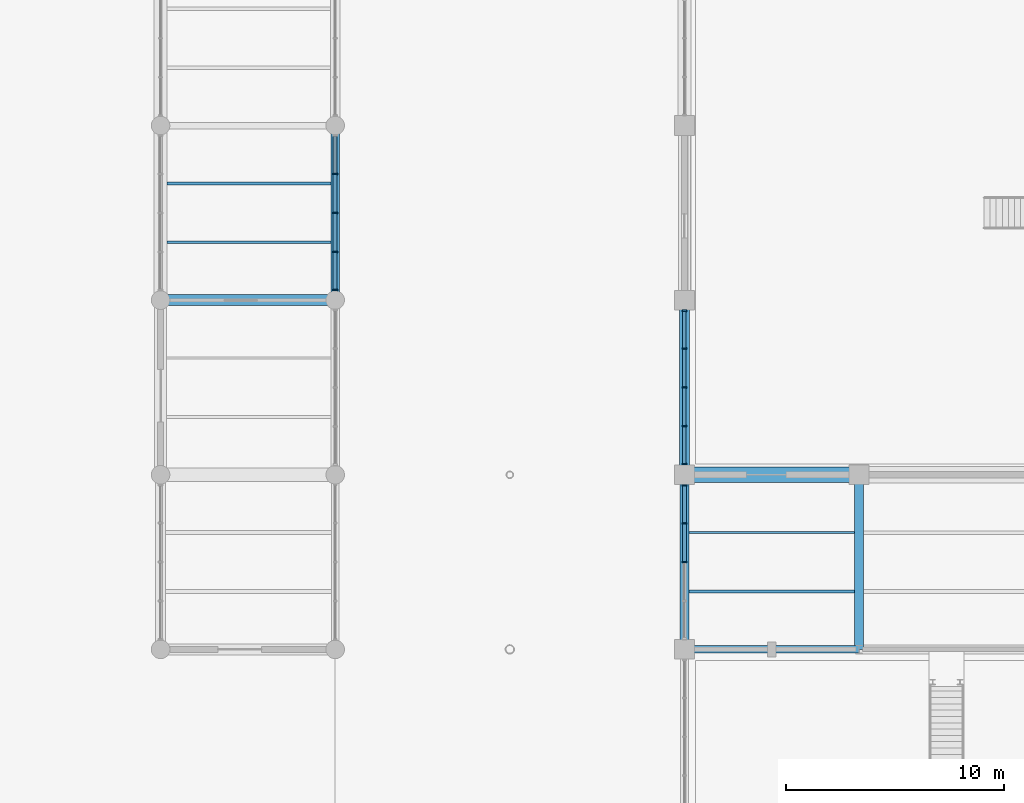
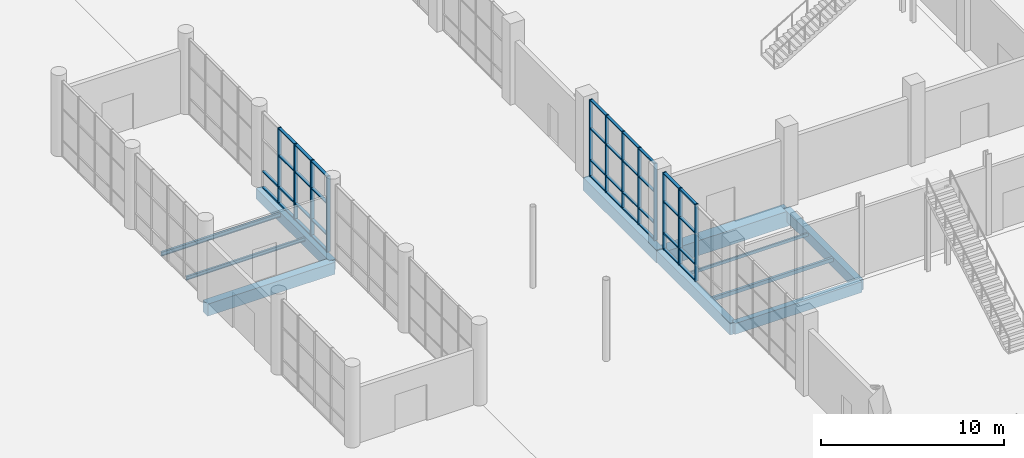
# One storey, part 32 of 123: 50 members, 11 beams, 3 elements without a shape of their own.
"""IFC4 building model written with IfcOpenShell, lengths in metres."""

from ifc_helpers import new_model, si_unit, direction, frame, origin, origin_2d, place, context, subcontext, project, spatial, rectangle, hollow_rectangle, i_section, extrude, material, material_profile, profile_set, type_object, element, aggregate, save


model = new_model("IFC4")

# Units and contexts
model_context = context("Model", 3, precision=1e-05, world=origin(), true_north=direction((0.0, 1.0)))
body_context = subcontext(model_context, "Body", "Model", "MODEL_VIEW")
ifc_project = project(units=[si_unit("LENGTHUNIT", "METRE"), si_unit("AREAUNIT", "SQUARE_METRE"), si_unit("VOLUMEUNIT", "CUBIC_METRE"), si_unit("PLANEANGLEUNIT", "RADIAN"), si_unit("MASSUNIT", "GRAM", prefix="KILO")], contexts=[model_context])

# Site, building, storey
site_placement = place(None, origin())
site = spatial("IfcSite", under=ifc_project, at=site_placement, CompositionType="ELEMENT")
building_placement = place(site_placement, origin())
building = spatial("IfcBuilding", under=site, at=building_placement, Name="Tenunan Teduh Sports Hall", CompositionType="ELEMENT")
storey_placement = place(building_placement, origin())
storey = spatial("IfcBuildingStorey", under=building, at=storey_placement, Name="L00", CompositionType="ELEMENT", Elevation=0.0)

# Beams
ifc_material_1 = material(Name="Concrete C40/50", Category="concrete")
ifc_material_profile_1 = material_profile(ifc_material_1, rectangle(XDim=0.39990234375, YDim=0.699951171875, at=origin_2d()), Name="RCB 400x700")
ifc_profile_set_1 = profile_set([ifc_material_profile_1], Name="Concrete C40/50")
beam_type_1 = type_object("IfcBeamType", Name="BM-RC-400x700", PredefinedType="BEAM", material=ifc_profile_set_1)
for number, where, z_axis, x_axis, name in (
    (1, (106.0, 54.0, -0.6298828125), (0.0, 1.0, 0.0), (-1.0, 0.0, 0.0), "BM-B-08-L00-0836"),
    (2, (130.0, 38.0, -0.669921875), (0.0, 1.0, 0.0), (-1.0, 0.0, 0.0), "BM-B-08-L00-0858"),
):
    element("IfcBeam", number, at=place(storey_placement, frame(where, z_axis=z_axis, x_axis=x_axis)), inside=storey, type_object=beam_type_1, Name=name, PredefinedType="BEAM", context=body_context, shape_type="SweptSolid", body=[
        extrude(rectangle(XDim=0.39990234375, YDim=0.699951171875, at=origin_2d()), origin(), (0.0, 0.0, 1.0), 8.0),
    ])
ifc_material_2 = material(Name="Concrete C40/50", Category="concrete")
ifc_material_profile_2 = material_profile(ifc_material_2, rectangle(XDim=0.39990234375, YDim=0.800048828125, at=origin_2d()), Name="RCB 400x800")
ifc_profile_set_2 = profile_set([ifc_material_profile_2], Name="Concrete C40/50")
beam_type_2 = type_object("IfcBeamType", Name="BM-RC-400x800", PredefinedType="BEAM", material=ifc_profile_set_2)
beam_1_placement = place(storey_placement, frame((122.0, 38.0, -0.719970703125), z_axis=(0.0, 1.0, 0.0), x_axis=(-1.0, 0.0, 0.0)))
element("IfcBeam", 3, at=beam_1_placement, inside=storey, type_object=beam_type_2, Name="BM-B-10-L00-0849", PredefinedType="BEAM", context=body_context, shape_type="SweptSolid", body=[
    extrude(rectangle(XDim=0.39990234375, YDim=0.800048828125, at=origin_2d()), origin(), (0.0, 0.0, 1.0), 8.0),
])
ifc_material_3 = material(Name="Concrete C40/50", Category="concrete")
ifc_material_profile_3 = material_profile(ifc_material_3, rectangle(XDim=0.449951171875, YDim=0.85009765625, at=origin_2d()), Name="RCB 450x850")
ifc_profile_set_3 = profile_set([ifc_material_profile_3], Name="Concrete C40/50")
beam_type_3 = type_object("IfcBeamType", Name="BM-RC-450x850", PredefinedType="BEAM", material=ifc_profile_set_3)
beam_2_placement = place(storey_placement, frame((122.0, 46.0, -0.72509765625), z_axis=(0.0, 1.0, 0.0), x_axis=(-1.0, 0.0, 0.0)))
element("IfcBeam", 4, at=beam_2_placement, inside=storey, type_object=beam_type_3, Name="BM-B-13-L00-0850", PredefinedType="BEAM", context=body_context, shape_type="SweptSolid", body=[
    extrude(rectangle(XDim=0.449951171875, YDim=0.85009765625, at=origin_2d()), origin(), (0.0, 0.0, 1.0), 8.0),
])
ifc_material_4 = material(Name="Concrete C40/50", Category="concrete")
ifc_material_profile_4 = material_profile(ifc_material_4, rectangle(XDim=0.5, YDim=0.800048828125, at=origin_2d()), Name="RCB 500x800")
ifc_profile_set_4 = profile_set([ifc_material_profile_4], Name="Concrete C40/50")
beam_type_4 = type_object("IfcBeamType", Name="BM-RC-500x800", PredefinedType="BEAM", material=ifc_profile_set_4)
beam_3_placement = place(storey_placement, frame((98.0, 54.0, -0.679931640625), z_axis=(1.0, 0.0, 0.0), x_axis=(0.0, 1.0, 0.0)))
element("IfcBeam", 5, at=beam_3_placement, inside=storey, type_object=beam_type_4, Name="BM-B-14-L00-0666", PredefinedType="BEAM", context=body_context, shape_type="SweptSolid", body=[
    extrude(rectangle(XDim=0.5, YDim=0.800048828125, at=origin_2d()), origin(), (0.0, 0.0, 1.0), 8.0),
])
ifc_material_5 = material(Name="Concrete C40/50", Category="concrete")
ifc_material_profile_5 = material_profile(ifc_material_5, rectangle(XDim=0.699951171875, YDim=1.0, at=origin_2d()), Name="RCB 700x1000")
ifc_profile_set_5 = profile_set([ifc_material_profile_5], Name="Concrete C40/50")
beam_type_5 = type_object("IfcBeamType", Name="BM-RC-700x1000", PredefinedType="SPANDREL", material=ifc_profile_set_5)
beam_4_placement = place(storey_placement, frame((122.0, 46.0, -0.820068359375), z_axis=(1.0, 0.0, 0.0), x_axis=(0.0, 1.0, 0.0)))
element("IfcBeam", 6, at=beam_4_placement, inside=storey, type_object=beam_type_5, Name="BM-B-19-L00-0659", PredefinedType="SPANDREL", context=body_context, shape_type="SweptSolid", body=[
    extrude(rectangle(XDim=0.699951171875, YDim=1.0, at=origin_2d()), origin(), (0.0, 0.0, 1.0), 8.0),
])
ifc_material_6 = material(Name="Concrete C40/50", Category="concrete")
ifc_material_profile_6 = material_profile(ifc_material_6, rectangle(XDim=0.35009765625, YDim=0.719970703125, at=origin_2d()), Name="TB 350x720")
ifc_profile_set_6 = profile_set([ifc_material_profile_6], Name="Concrete C40/50")
beam_type_6 = type_object("IfcBeamType", Name="BM-TB-350x720", PredefinedType="T_BEAM", material=ifc_profile_set_6)
beam_5_placement = place(storey_placement, frame((122.0, 38.0, -0.679931640625), z_axis=(1.0, 0.0, 0.0), x_axis=(0.0, 1.0, 0.0)))
element("IfcBeam", 7, at=beam_5_placement, inside=storey, type_object=beam_type_6, Name="BM-TB-01-L00-0645", PredefinedType="T_BEAM", context=body_context, shape_type="SweptSolid", body=[
    extrude(rectangle(XDim=0.35009765625, YDim=0.719970703125, at=origin_2d()), origin(), (0.0, 0.0, 1.0), 8.0),
])

# Curtain wall, members
ifc_material_7 = material(Name="Anodised aluminium", Category="aluminium")
curtain_wall_type = type_object("IfcCurtainWallType", Name="CW-UNIT-1", PredefinedType="NOTDEFINED", material=ifc_material_7)
curtain_wall_1_placement = place(storey_placement, origin())
curtain_wall_1 = element("IfcCurtainWall", 8, at=curtain_wall_1_placement, inside=storey, type_object=curtain_wall_type, Name="CW-CWM-200-L00-112", PredefinedType="NOTDEFINED")
ifc_material_8 = material(Name="Anodised aluminium", Category="aluminium")
ifc_material_profile_7 = material_profile(ifc_material_8, rectangle(XDim=0.070068359375, YDim=0.199951171875, at=origin_2d()), Name="CWM 70x200")
ifc_profile_set_7 = profile_set([ifc_material_profile_7], Name="Anodised aluminium")
member_type_1 = type_object("IfcMemberType", Name="CWM-200", PredefinedType="MULLION", material=ifc_profile_set_7)
member_1_placement = place(storey_placement, frame((122.0, 46.485107421875, 0.0), z_axis=(0.0, 0.0, 1.0), x_axis=(0.0, 1.0, 0.0)))
member_1 = element("IfcMember", 9, at=member_1_placement, type_object=member_type_1, Name="CW-01 mullion 1", PredefinedType="MULLION", context=body_context, shape_type="SweptSolid", body=[
    extrude(rectangle(XDim=0.070068359375, YDim=0.199951171875, at=origin_2d()), origin(), (0.0, 0.0, 1.0), 5.1201171875),
])
member_2_placement = place(storey_placement, frame((122.0, 48.22509765625, 0.0), z_axis=(0.0, 0.0, 1.0), x_axis=(0.0, 1.0, 0.0)))
member_2 = element("IfcMember", 10, at=member_2_placement, type_object=member_type_1, Name="CW-01 mullion 2", PredefinedType="MULLION", context=body_context, shape_type="SweptSolid", body=[
    extrude(rectangle(XDim=0.070068359375, YDim=0.199951171875, at=origin_2d()), origin(), (0.0, 0.0, 1.0), 5.1201171875),
])
member_3_placement = place(storey_placement, frame((122.0, 50.0, 0.0), z_axis=(0.0, 0.0, 1.0), x_axis=(0.0, 1.0, 0.0)))
member_3 = element("IfcMember", 11, at=member_3_placement, type_object=member_type_1, Name="CW-01 mullion 3", PredefinedType="MULLION", context=body_context, shape_type="SweptSolid", body=[
    extrude(rectangle(XDim=0.070068359375, YDim=0.199951171875, at=origin_2d()), origin(), (0.0, 0.0, 1.0), 5.1201171875),
])
member_4_placement = place(storey_placement, frame((122.0, 51.77490234375, 0.0), z_axis=(0.0, 0.0, 1.0), x_axis=(0.0, 1.0, 0.0)))
member_4 = element("IfcMember", 12, at=member_4_placement, type_object=member_type_1, Name="CW-01 mullion 4", PredefinedType="MULLION", context=body_context, shape_type="SweptSolid", body=[
    extrude(rectangle(XDim=0.070068359375, YDim=0.199951171875, at=origin_2d()), origin(), (0.0, 0.0, 1.0), 5.1201171875),
])
member_5_placement = place(storey_placement, frame((122.0, 53.514892578125, 0.0), z_axis=(0.0, 0.0, 1.0), x_axis=(0.0, 1.0, 0.0)))
member_5 = element("IfcMember", 13, at=member_5_placement, type_object=member_type_1, Name="CW-01 mullion 5", PredefinedType="MULLION", context=body_context, shape_type="SweptSolid", body=[
    extrude(rectangle(XDim=0.070068359375, YDim=0.199951171875, at=origin_2d()), origin(), (0.0, 0.0, 1.0), 5.1201171875),
])

curtain_wall_2_placement = place(storey_placement, origin())
curtain_wall_2 = element("IfcCurtainWall", 14, at=curtain_wall_2_placement, inside=storey, type_object=curtain_wall_type, Name="CW-CWM-220-L00-005", PredefinedType="NOTDEFINED")
ifc_material_9 = material(Name="Anodised aluminium", Category="aluminium")
ifc_material_profile_8 = material_profile(ifc_material_9, rectangle(XDim=0.074951171875, YDim=0.219970703125, at=origin_2d()), Name="CWM 75x220")
ifc_profile_set_8 = profile_set([ifc_material_profile_8], Name="Anodised aluminium")
member_type_2 = type_object("IfcMemberType", Name="CWM-220", PredefinedType="MULLION", material=ifc_profile_set_8)
member_6_placement = place(storey_placement, frame((122.0, 42.0, 0.0), z_axis=(0.0, 0.0, 1.0), x_axis=(0.0, 1.0, 0.0)))
member_6 = element("IfcMember", 15, at=member_6_placement, type_object=member_type_2, Name="CW-01 mullion 3", PredefinedType="MULLION", context=body_context, shape_type="SweptSolid", body=[
    extrude(rectangle(XDim=0.074951171875, YDim=0.219970703125, at=origin_2d()), origin(), (0.0, 0.0, 1.0), 5.1201171875),
])
member_7_placement = place(storey_placement, frame((122.0, 43.77490234375, 0.0), z_axis=(0.0, 0.0, 1.0), x_axis=(0.0, 1.0, 0.0)))
member_7 = element("IfcMember", 16, at=member_7_placement, type_object=member_type_2, Name="CW-01 mullion 4", PredefinedType="MULLION", context=body_context, shape_type="SweptSolid", body=[
    extrude(rectangle(XDim=0.074951171875, YDim=0.219970703125, at=origin_2d()), origin(), (0.0, 0.0, 1.0), 5.1201171875),
])
member_8_placement = place(storey_placement, frame((122.0, 45.512451171875, 0.0), z_axis=(0.0, 0.0, 1.0), x_axis=(0.0, 1.0, 0.0)))
member_8 = element("IfcMember", 17, at=member_8_placement, type_object=member_type_2, Name="CW-01 mullion 5", PredefinedType="MULLION", context=body_context, shape_type="SweptSolid", body=[
    extrude(rectangle(XDim=0.074951171875, YDim=0.219970703125, at=origin_2d()), origin(), (0.0, 0.0, 1.0), 5.1201171875),
])

curtain_wall_3_placement = place(storey_placement, origin())
curtain_wall_3 = element("IfcCurtainWall", 18, at=curtain_wall_3_placement, inside=storey, type_object=curtain_wall_type, Name="CW-CWM-220-L00-161", PredefinedType="NOTDEFINED")
member_9_placement = place(storey_placement, frame((106.0, 54.46240234375, 0.0), z_axis=(0.0, 0.0, 1.0), x_axis=(0.0, 1.0, 0.0)))
member_9 = element("IfcMember", 19, at=member_9_placement, type_object=member_type_2, Name="CW-01 mullion 1", PredefinedType="MULLION", context=body_context, shape_type="SweptSolid", body=[
    extrude(rectangle(XDim=0.074951171875, YDim=0.219970703125, at=origin_2d()), origin(), (0.0, 0.0, 1.0), 5.0400390625),
])
member_10_placement = place(storey_placement, frame((106.0, 56.21240234375, 0.0), z_axis=(0.0, 0.0, 1.0), x_axis=(0.0, 1.0, 0.0)))
member_10 = element("IfcMember", 20, at=member_10_placement, type_object=member_type_2, Name="CW-01 mullion 2", PredefinedType="MULLION", context=body_context, shape_type="SweptSolid", body=[
    extrude(rectangle(XDim=0.074951171875, YDim=0.219970703125, at=origin_2d()), origin(), (0.0, 0.0, 1.0), 5.0400390625),
])
member_11_placement = place(storey_placement, frame((106.0, 58.0, 0.0), z_axis=(0.0, 0.0, 1.0), x_axis=(0.0, 1.0, 0.0)))
member_11 = element("IfcMember", 21, at=member_11_placement, type_object=member_type_2, Name="CW-01 mullion 3", PredefinedType="MULLION", context=body_context, shape_type="SweptSolid", body=[
    extrude(rectangle(XDim=0.074951171875, YDim=0.219970703125, at=origin_2d()), origin(), (0.0, 0.0, 1.0), 5.0400390625),
])
member_12_placement = place(storey_placement, frame((106.0, 59.78759765625, 0.0), z_axis=(0.0, 0.0, 1.0), x_axis=(0.0, 1.0, 0.0)))
member_12 = element("IfcMember", 22, at=member_12_placement, type_object=member_type_2, Name="CW-01 mullion 4", PredefinedType="MULLION", context=body_context, shape_type="SweptSolid", body=[
    extrude(rectangle(XDim=0.074951171875, YDim=0.219970703125, at=origin_2d()), origin(), (0.0, 0.0, 1.0), 5.0400390625),
])

# Member
ifc_material_10 = material(Name="Anodised aluminium", Category="aluminium")
ifc_material_profile_9 = material_profile(ifc_material_10, rectangle(XDim=0.074951171875, YDim=0.179931640625, at=origin_2d()), Name="CWT 75x180")
ifc_profile_set_9 = profile_set([ifc_material_profile_9], Name="Anodised aluminium")
member_type_3 = type_object("IfcMemberType", Name="CWT-180", PredefinedType="USERDEFINED", material=ifc_profile_set_9)
member_13_placement = place(storey_placement, frame((122.0, 42.03759765625, 0.03759765625), z_axis=(0.0, 1.0, 0.0), x_axis=(0.0, 0.0, 1.0)))
member_13 = element("IfcMember", 23, at=member_13_placement, type_object=member_type_3, Name="CW-01 transom 3.1", ObjectType="TRANSOM", PredefinedType="USERDEFINED", context=body_context, shape_type="SweptSolid", body=[
    extrude(rectangle(XDim=0.074951171875, YDim=0.179931640625, at=origin_2d()), origin(), (0.0, 0.0, 1.0), 1.699951171875),
])

member_14_placement = place(storey_placement, frame((122.0, 42.03759765625, 1.10009765625), z_axis=(0.0, 1.0, 0.0), x_axis=(0.0, 0.0, 1.0)))
member_14 = element("IfcMember", 24, at=member_14_placement, type_object=member_type_3, Name="CW-01 transom 3.2", ObjectType="TRANSOM", PredefinedType="USERDEFINED", context=body_context, shape_type="SweptSolid", body=[
    extrude(rectangle(XDim=0.074951171875, YDim=0.179931640625, at=origin_2d()), origin(), (0.0, 0.0, 1.0), 1.699951171875),
])

member_15_placement = place(storey_placement, frame((122.0, 42.03759765625, 3.199951171875), z_axis=(0.0, 1.0, 0.0), x_axis=(0.0, 0.0, 1.0)))
member_15 = element("IfcMember", 25, at=member_15_placement, type_object=member_type_3, Name="CW-01 transom 3.3", ObjectType="TRANSOM", PredefinedType="USERDEFINED", context=body_context, shape_type="SweptSolid", body=[
    extrude(rectangle(XDim=0.074951171875, YDim=0.179931640625, at=origin_2d()), origin(), (0.0, 0.0, 1.0), 1.699951171875),
])

member_16_placement = place(storey_placement, frame((122.0, 42.03759765625, 5.08251953125), z_axis=(0.0, 1.0, 0.0), x_axis=(0.0, 0.0, 1.0)))
member_16 = element("IfcMember", 26, at=member_16_placement, type_object=member_type_3, Name="CW-01 transom 3.4", ObjectType="TRANSOM", PredefinedType="USERDEFINED", context=body_context, shape_type="SweptSolid", body=[
    extrude(rectangle(XDim=0.074951171875, YDim=0.179931640625, at=origin_2d()), origin(), (0.0, 0.0, 1.0), 1.699951171875),
])

member_17_placement = place(storey_placement, frame((122.0, 43.8125, 0.03759765625), z_axis=(0.0, 1.0, 0.0), x_axis=(0.0, 0.0, 1.0)))
member_17 = element("IfcMember", 27, at=member_17_placement, type_object=member_type_3, Name="CW-01 transom 4.1", ObjectType="TRANSOM", PredefinedType="USERDEFINED", context=body_context, shape_type="SweptSolid", body=[
    extrude(rectangle(XDim=0.074951171875, YDim=0.179931640625, at=origin_2d()), origin(), (0.0, 0.0, 1.0), 1.66259765625),
])

member_18_placement = place(storey_placement, frame((122.0, 43.8125, 1.10009765625), z_axis=(0.0, 1.0, 0.0), x_axis=(0.0, 0.0, 1.0)))
member_18 = element("IfcMember", 28, at=member_18_placement, type_object=member_type_3, Name="CW-01 transom 4.2", ObjectType="TRANSOM", PredefinedType="USERDEFINED", context=body_context, shape_type="SweptSolid", body=[
    extrude(rectangle(XDim=0.074951171875, YDim=0.179931640625, at=origin_2d()), origin(), (0.0, 0.0, 1.0), 1.66259765625),
])

member_19_placement = place(storey_placement, frame((122.0, 43.8125, 3.199951171875), z_axis=(0.0, 1.0, 0.0), x_axis=(0.0, 0.0, 1.0)))
member_19 = element("IfcMember", 29, at=member_19_placement, type_object=member_type_3, Name="CW-01 transom 4.3", ObjectType="TRANSOM", PredefinedType="USERDEFINED", context=body_context, shape_type="SweptSolid", body=[
    extrude(rectangle(XDim=0.074951171875, YDim=0.179931640625, at=origin_2d()), origin(), (0.0, 0.0, 1.0), 1.66259765625),
])

member_20_placement = place(storey_placement, frame((122.0, 43.8125, 5.08251953125), z_axis=(0.0, 1.0, 0.0), x_axis=(0.0, 0.0, 1.0)))
member_20 = element("IfcMember", 30, at=member_20_placement, type_object=member_type_3, Name="CW-01 transom 4.4", ObjectType="TRANSOM", PredefinedType="USERDEFINED", context=body_context, shape_type="SweptSolid", body=[
    extrude(rectangle(XDim=0.074951171875, YDim=0.179931640625, at=origin_2d()), origin(), (0.0, 0.0, 1.0), 1.66259765625),
])

aggregate(curtain_wall_2, [member_6, member_7, member_8, member_13, member_14, member_15, member_16, member_17, member_18, member_19, member_20])

member_21_placement = place(storey_placement, frame((106.0, 54.5, 0.03759765625), z_axis=(0.0, 1.0, 0.0), x_axis=(0.0, 0.0, 1.0)))
member_21 = element("IfcMember", 31, at=member_21_placement, type_object=member_type_3, Name="CW-01 transom 1.1", ObjectType="TRANSOM", PredefinedType="USERDEFINED", context=body_context, shape_type="SweptSolid", body=[
    extrude(rectangle(XDim=0.074951171875, YDim=0.179931640625, at=origin_2d()), origin(), (0.0, 0.0, 1.0), 1.675048828125),
])

member_22_placement = place(storey_placement, frame((106.0, 54.5, 1.10009765625), z_axis=(0.0, 1.0, 0.0), x_axis=(0.0, 0.0, 1.0)))
member_22 = element("IfcMember", 32, at=member_22_placement, type_object=member_type_3, Name="CW-01 transom 1.2", ObjectType="TRANSOM", PredefinedType="USERDEFINED", context=body_context, shape_type="SweptSolid", body=[
    extrude(rectangle(XDim=0.074951171875, YDim=0.179931640625, at=origin_2d()), origin(), (0.0, 0.0, 1.0), 1.675048828125),
])

member_23_placement = place(storey_placement, frame((106.0, 54.5, 3.199951171875), z_axis=(0.0, 1.0, 0.0), x_axis=(0.0, 0.0, 1.0)))
member_23 = element("IfcMember", 33, at=member_23_placement, type_object=member_type_3, Name="CW-01 transom 1.3", ObjectType="TRANSOM", PredefinedType="USERDEFINED", context=body_context, shape_type="SweptSolid", body=[
    extrude(rectangle(XDim=0.074951171875, YDim=0.179931640625, at=origin_2d()), origin(), (0.0, 0.0, 1.0), 1.675048828125),
])

member_24_placement = place(storey_placement, frame((106.0, 54.5, 5.00244140625), z_axis=(0.0, 1.0, 0.0), x_axis=(0.0, 0.0, 1.0)))
member_24 = element("IfcMember", 34, at=member_24_placement, type_object=member_type_3, Name="CW-01 transom 1.4", ObjectType="TRANSOM", PredefinedType="USERDEFINED", context=body_context, shape_type="SweptSolid", body=[
    extrude(rectangle(XDim=0.074951171875, YDim=0.179931640625, at=origin_2d()), origin(), (0.0, 0.0, 1.0), 1.675048828125),
])

member_25_placement = place(storey_placement, frame((106.0, 56.25, 0.03759765625), z_axis=(0.0, 1.0, 0.0), x_axis=(0.0, 0.0, 1.0)))
member_25 = element("IfcMember", 35, at=member_25_placement, type_object=member_type_3, Name="CW-01 transom 2.1", ObjectType="TRANSOM", PredefinedType="USERDEFINED", context=body_context, shape_type="SweptSolid", body=[
    extrude(rectangle(XDim=0.074951171875, YDim=0.179931640625, at=origin_2d()), origin(), (0.0, 0.0, 1.0), 1.71240234375),
])

member_26_placement = place(storey_placement, frame((106.0, 56.25, 1.10009765625), z_axis=(0.0, 1.0, 0.0), x_axis=(0.0, 0.0, 1.0)))
member_26 = element("IfcMember", 36, at=member_26_placement, type_object=member_type_3, Name="CW-01 transom 2.2", ObjectType="TRANSOM", PredefinedType="USERDEFINED", context=body_context, shape_type="SweptSolid", body=[
    extrude(rectangle(XDim=0.074951171875, YDim=0.179931640625, at=origin_2d()), origin(), (0.0, 0.0, 1.0), 1.71240234375),
])

member_27_placement = place(storey_placement, frame((106.0, 56.25, 3.199951171875), z_axis=(0.0, 1.0, 0.0), x_axis=(0.0, 0.0, 1.0)))
member_27 = element("IfcMember", 37, at=member_27_placement, type_object=member_type_3, Name="CW-01 transom 2.3", ObjectType="TRANSOM", PredefinedType="USERDEFINED", context=body_context, shape_type="SweptSolid", body=[
    extrude(rectangle(XDim=0.074951171875, YDim=0.179931640625, at=origin_2d()), origin(), (0.0, 0.0, 1.0), 1.71240234375),
])

member_28_placement = place(storey_placement, frame((106.0, 56.25, 5.00244140625), z_axis=(0.0, 1.0, 0.0), x_axis=(0.0, 0.0, 1.0)))
member_28 = element("IfcMember", 38, at=member_28_placement, type_object=member_type_3, Name="CW-01 transom 2.4", ObjectType="TRANSOM", PredefinedType="USERDEFINED", context=body_context, shape_type="SweptSolid", body=[
    extrude(rectangle(XDim=0.074951171875, YDim=0.179931640625, at=origin_2d()), origin(), (0.0, 0.0, 1.0), 1.71240234375),
])

member_29_placement = place(storey_placement, frame((106.0, 58.03759765625, 0.03759765625), z_axis=(0.0, 1.0, 0.0), x_axis=(0.0, 0.0, 1.0)))
member_29 = element("IfcMember", 39, at=member_29_placement, type_object=member_type_3, Name="CW-01 transom 3.1", ObjectType="TRANSOM", PredefinedType="USERDEFINED", context=body_context, shape_type="SweptSolid", body=[
    extrude(rectangle(XDim=0.074951171875, YDim=0.179931640625, at=origin_2d()), origin(), (0.0, 0.0, 1.0), 1.71240234375),
])

member_30_placement = place(storey_placement, frame((106.0, 58.03759765625, 1.10009765625), z_axis=(0.0, 1.0, 0.0), x_axis=(0.0, 0.0, 1.0)))
member_30 = element("IfcMember", 40, at=member_30_placement, type_object=member_type_3, Name="CW-01 transom 3.2", ObjectType="TRANSOM", PredefinedType="USERDEFINED", context=body_context, shape_type="SweptSolid", body=[
    extrude(rectangle(XDim=0.074951171875, YDim=0.179931640625, at=origin_2d()), origin(), (0.0, 0.0, 1.0), 1.71240234375),
])

member_31_placement = place(storey_placement, frame((106.0, 58.03759765625, 3.199951171875), z_axis=(0.0, 1.0, 0.0), x_axis=(0.0, 0.0, 1.0)))
member_31 = element("IfcMember", 41, at=member_31_placement, type_object=member_type_3, Name="CW-01 transom 3.3", ObjectType="TRANSOM", PredefinedType="USERDEFINED", context=body_context, shape_type="SweptSolid", body=[
    extrude(rectangle(XDim=0.074951171875, YDim=0.179931640625, at=origin_2d()), origin(), (0.0, 0.0, 1.0), 1.71240234375),
])

member_32_placement = place(storey_placement, frame((106.0, 58.03759765625, 5.00244140625), z_axis=(0.0, 1.0, 0.0), x_axis=(0.0, 0.0, 1.0)))
member_32 = element("IfcMember", 42, at=member_32_placement, type_object=member_type_3, Name="CW-01 transom 3.4", ObjectType="TRANSOM", PredefinedType="USERDEFINED", context=body_context, shape_type="SweptSolid", body=[
    extrude(rectangle(XDim=0.074951171875, YDim=0.179931640625, at=origin_2d()), origin(), (0.0, 0.0, 1.0), 1.71240234375),
])

member_33_placement = place(storey_placement, frame((106.0, 59.824951171875, 0.03759765625), z_axis=(0.0, 1.0, 0.0), x_axis=(0.0, 0.0, 1.0)))
member_33 = element("IfcMember", 43, at=member_33_placement, type_object=member_type_3, Name="CW-01 transom 4.1", ObjectType="TRANSOM", PredefinedType="USERDEFINED", context=body_context, shape_type="SweptSolid", body=[
    extrude(rectangle(XDim=0.074951171875, YDim=0.179931640625, at=origin_2d()), origin(), (0.0, 0.0, 1.0), 1.675048828125),
])

member_34_placement = place(storey_placement, frame((106.0, 59.824951171875, 1.10009765625), z_axis=(0.0, 1.0, 0.0), x_axis=(0.0, 0.0, 1.0)))
member_34 = element("IfcMember", 44, at=member_34_placement, type_object=member_type_3, Name="CW-01 transom 4.2", ObjectType="TRANSOM", PredefinedType="USERDEFINED", context=body_context, shape_type="SweptSolid", body=[
    extrude(rectangle(XDim=0.074951171875, YDim=0.179931640625, at=origin_2d()), origin(), (0.0, 0.0, 1.0), 1.675048828125),
])

aggregate(curtain_wall_3, [member_9, member_10, member_11, member_12, member_21, member_22, member_23, member_24, member_25, member_26, member_27, member_28, member_29, member_30, member_31, member_32, member_33, member_34])

ifc_material_11 = material(Name="Anodised aluminium", Category="aluminium")
ifc_material_profile_10 = material_profile(ifc_material_11, rectangle(XDim=0.070068359375, YDim=0.159912109375, at=origin_2d()), Name="CWT 70x160")
ifc_profile_set_10 = profile_set([ifc_material_profile_10], Name="Anodised aluminium")
member_type_4 = type_object("IfcMemberType", Name="CWT-200", PredefinedType="USERDEFINED", material=ifc_profile_set_10)
member_35_placement = place(storey_placement, frame((122.0, 46.52001953125, 0.034912109375), z_axis=(0.0, 1.0, 0.0), x_axis=(0.0, 0.0, 1.0)))
member_35 = element("IfcMember", 45, at=member_35_placement, type_object=member_type_4, Name="CW-01 transom 1.1", ObjectType="TRANSOM", PredefinedType="USERDEFINED", context=body_context, shape_type="SweptSolid", body=[
    extrude(rectangle(XDim=0.070068359375, YDim=0.159912109375, at=origin_2d()), origin(), (0.0, 0.0, 1.0), 1.669921875),
])

member_36_placement = place(storey_placement, frame((122.0, 46.52001953125, 1.10009765625), z_axis=(0.0, 1.0, 0.0), x_axis=(0.0, 0.0, 1.0)))
member_36 = element("IfcMember", 46, at=member_36_placement, type_object=member_type_4, Name="CW-01 transom 1.2", ObjectType="TRANSOM", PredefinedType="USERDEFINED", context=body_context, shape_type="SweptSolid", body=[
    extrude(rectangle(XDim=0.070068359375, YDim=0.159912109375, at=origin_2d()), origin(), (0.0, 0.0, 1.0), 1.669921875),
])

member_37_placement = place(storey_placement, frame((122.0, 46.52001953125, 3.199951171875), z_axis=(0.0, 1.0, 0.0), x_axis=(0.0, 0.0, 1.0)))
member_37 = element("IfcMember", 47, at=member_37_placement, type_object=member_type_4, Name="CW-01 transom 1.3", ObjectType="TRANSOM", PredefinedType="USERDEFINED", context=body_context, shape_type="SweptSolid", body=[
    extrude(rectangle(XDim=0.070068359375, YDim=0.159912109375, at=origin_2d()), origin(), (0.0, 0.0, 1.0), 1.669921875),
])

member_38_placement = place(storey_placement, frame((122.0, 46.52001953125, 5.0849609375), z_axis=(0.0, 1.0, 0.0), x_axis=(0.0, 0.0, 1.0)))
member_38 = element("IfcMember", 48, at=member_38_placement, type_object=member_type_4, Name="CW-01 transom 1.4", ObjectType="TRANSOM", PredefinedType="USERDEFINED", context=body_context, shape_type="SweptSolid", body=[
    extrude(rectangle(XDim=0.070068359375, YDim=0.159912109375, at=origin_2d()), origin(), (0.0, 0.0, 1.0), 1.669921875),
])

member_39_placement = place(storey_placement, frame((122.0, 48.260009765625, 0.034912109375), z_axis=(0.0, 1.0, 0.0), x_axis=(0.0, 0.0, 1.0)))
member_39 = element("IfcMember", 49, at=member_39_placement, type_object=member_type_4, Name="CW-01 transom 2.1", ObjectType="TRANSOM", PredefinedType="USERDEFINED", context=body_context, shape_type="SweptSolid", body=[
    extrude(rectangle(XDim=0.070068359375, YDim=0.159912109375, at=origin_2d()), origin(), (0.0, 0.0, 1.0), 1.705078125),
])

member_40_placement = place(storey_placement, frame((122.0, 48.260009765625, 1.10009765625), z_axis=(0.0, 1.0, 0.0), x_axis=(0.0, 0.0, 1.0)))
member_40 = element("IfcMember", 50, at=member_40_placement, type_object=member_type_4, Name="CW-01 transom 2.2", ObjectType="TRANSOM", PredefinedType="USERDEFINED", context=body_context, shape_type="SweptSolid", body=[
    extrude(rectangle(XDim=0.070068359375, YDim=0.159912109375, at=origin_2d()), origin(), (0.0, 0.0, 1.0), 1.705078125),
])

member_41_placement = place(storey_placement, frame((122.0, 48.260009765625, 3.199951171875), z_axis=(0.0, 1.0, 0.0), x_axis=(0.0, 0.0, 1.0)))
member_41 = element("IfcMember", 51, at=member_41_placement, type_object=member_type_4, Name="CW-01 transom 2.3", ObjectType="TRANSOM", PredefinedType="USERDEFINED", context=body_context, shape_type="SweptSolid", body=[
    extrude(rectangle(XDim=0.070068359375, YDim=0.159912109375, at=origin_2d()), origin(), (0.0, 0.0, 1.0), 1.705078125),
])

member_42_placement = place(storey_placement, frame((122.0, 48.260009765625, 5.0849609375), z_axis=(0.0, 1.0, 0.0), x_axis=(0.0, 0.0, 1.0)))
member_42 = element("IfcMember", 52, at=member_42_placement, type_object=member_type_4, Name="CW-01 transom 2.4", ObjectType="TRANSOM", PredefinedType="USERDEFINED", context=body_context, shape_type="SweptSolid", body=[
    extrude(rectangle(XDim=0.070068359375, YDim=0.159912109375, at=origin_2d()), origin(), (0.0, 0.0, 1.0), 1.705078125),
])

member_43_placement = place(storey_placement, frame((122.0, 50.034912109375, 0.034912109375), z_axis=(0.0, 1.0, 0.0), x_axis=(0.0, 0.0, 1.0)))
member_43 = element("IfcMember", 53, at=member_43_placement, type_object=member_type_4, Name="CW-01 transom 3.1", ObjectType="TRANSOM", PredefinedType="USERDEFINED", context=body_context, shape_type="SweptSolid", body=[
    extrude(rectangle(XDim=0.070068359375, YDim=0.159912109375, at=origin_2d()), origin(), (0.0, 0.0, 1.0), 1.705078125),
])

member_44_placement = place(storey_placement, frame((122.0, 50.034912109375, 1.10009765625), z_axis=(0.0, 1.0, 0.0), x_axis=(0.0, 0.0, 1.0)))
member_44 = element("IfcMember", 54, at=member_44_placement, type_object=member_type_4, Name="CW-01 transom 3.2", ObjectType="TRANSOM", PredefinedType="USERDEFINED", context=body_context, shape_type="SweptSolid", body=[
    extrude(rectangle(XDim=0.070068359375, YDim=0.159912109375, at=origin_2d()), origin(), (0.0, 0.0, 1.0), 1.705078125),
])

member_45_placement = place(storey_placement, frame((122.0, 50.034912109375, 3.199951171875), z_axis=(0.0, 1.0, 0.0), x_axis=(0.0, 0.0, 1.0)))
member_45 = element("IfcMember", 55, at=member_45_placement, type_object=member_type_4, Name="CW-01 transom 3.3", ObjectType="TRANSOM", PredefinedType="USERDEFINED", context=body_context, shape_type="SweptSolid", body=[
    extrude(rectangle(XDim=0.070068359375, YDim=0.159912109375, at=origin_2d()), origin(), (0.0, 0.0, 1.0), 1.705078125),
])

member_46_placement = place(storey_placement, frame((122.0, 50.034912109375, 5.0849609375), z_axis=(0.0, 1.0, 0.0), x_axis=(0.0, 0.0, 1.0)))
member_46 = element("IfcMember", 56, at=member_46_placement, type_object=member_type_4, Name="CW-01 transom 3.4", ObjectType="TRANSOM", PredefinedType="USERDEFINED", context=body_context, shape_type="SweptSolid", body=[
    extrude(rectangle(XDim=0.070068359375, YDim=0.159912109375, at=origin_2d()), origin(), (0.0, 0.0, 1.0), 1.705078125),
])

member_47_placement = place(storey_placement, frame((122.0, 51.81005859375, 0.034912109375), z_axis=(0.0, 1.0, 0.0), x_axis=(0.0, 0.0, 1.0)))
member_47 = element("IfcMember", 57, at=member_47_placement, type_object=member_type_4, Name="CW-01 transom 4.1", ObjectType="TRANSOM", PredefinedType="USERDEFINED", context=body_context, shape_type="SweptSolid", body=[
    extrude(rectangle(XDim=0.070068359375, YDim=0.159912109375, at=origin_2d()), origin(), (0.0, 0.0, 1.0), 1.669921875),
])

member_48_placement = place(storey_placement, frame((122.0, 51.81005859375, 1.10009765625), z_axis=(0.0, 1.0, 0.0), x_axis=(0.0, 0.0, 1.0)))
member_48 = element("IfcMember", 58, at=member_48_placement, type_object=member_type_4, Name="CW-01 transom 4.2", ObjectType="TRANSOM", PredefinedType="USERDEFINED", context=body_context, shape_type="SweptSolid", body=[
    extrude(rectangle(XDim=0.070068359375, YDim=0.159912109375, at=origin_2d()), origin(), (0.0, 0.0, 1.0), 1.669921875),
])

member_49_placement = place(storey_placement, frame((122.0, 51.81005859375, 3.199951171875), z_axis=(0.0, 1.0, 0.0), x_axis=(0.0, 0.0, 1.0)))
member_49 = element("IfcMember", 59, at=member_49_placement, type_object=member_type_4, Name="CW-01 transom 4.3", ObjectType="TRANSOM", PredefinedType="USERDEFINED", context=body_context, shape_type="SweptSolid", body=[
    extrude(rectangle(XDim=0.070068359375, YDim=0.159912109375, at=origin_2d()), origin(), (0.0, 0.0, 1.0), 1.669921875),
])

member_50_placement = place(storey_placement, frame((122.0, 51.81005859375, 5.0849609375), z_axis=(0.0, 1.0, 0.0), x_axis=(0.0, 0.0, 1.0)))
member_50 = element("IfcMember", 60, at=member_50_placement, type_object=member_type_4, Name="CW-01 transom 4.4", ObjectType="TRANSOM", PredefinedType="USERDEFINED", context=body_context, shape_type="SweptSolid", body=[
    extrude(rectangle(XDim=0.070068359375, YDim=0.159912109375, at=origin_2d()), origin(), (0.0, 0.0, 1.0), 1.669921875),
])

aggregate(curtain_wall_1, [member_1, member_2, member_3, member_4, member_5, member_35, member_36, member_37, member_38, member_39, member_40, member_41, member_42, member_43, member_44, member_45, member_46, member_47, member_48, member_49, member_50])

# Beams
ifc_material_12 = material(Name="Steel S355", Category="steel")
ifc_material_profile_11 = material_profile(ifc_material_12, i_section(OverallWidth=0.1201171875, OverallDepth=0.239990234375, WebThickness=0.006103515625, FlangeThickness=0.009765625, FilletRadius=0.014892578125, at=origin_2d()), Name="IPE 240")
ifc_profile_set_11 = profile_set([ifc_material_profile_11], Name="Steel S355")
beam_type_7 = type_object("IfcBeamType", Name="JST-IPE240", PredefinedType="JOIST", material=ifc_profile_set_11)
beam_6_placement = place(storey_placement, frame((98.300048828125, 56.64990234375, -0.39990234375), z_axis=(1.0, 0.0, 0.0), x_axis=(0.0, 1.0, 0.0)))
element("IfcBeam", 61, at=beam_6_placement, inside=storey, type_object=beam_type_7, Name="BM-J-02-L00-0980", PredefinedType="JOIST", context=body_context, shape_type="SweptSolid", body=[
    extrude(i_section(OverallWidth=0.1201171875, OverallDepth=0.239990234375, WebThickness=0.006103515625, FlangeThickness=0.009765625, FilletRadius=0.014892578125, at=origin_2d()), origin(), (0.0, 0.0, 1.0), 7.5),
])
ifc_material_13 = material(Name="Steel S355", Category="steel")
ifc_material_profile_12 = material_profile(ifc_material_13, i_section(OverallWidth=0.135009765625, OverallDepth=0.27001953125, WebThickness=0.006591796875, FlangeThickness=0.01025390625, FilletRadius=0.014892578125, at=origin_2d()), Name="IPE 270")
ifc_profile_set_12 = profile_set([ifc_material_profile_12], Name="Steel S355")
beam_type_8 = type_object("IfcBeamType", Name="JST-IPE270", PredefinedType="JOIST", material=ifc_profile_set_12)
beam_7_placement = place(storey_placement, frame((98.300048828125, 59.35009765625, -0.4150390625), z_axis=(1.0, 0.0, 0.0), x_axis=(0.0, 1.0, 0.0)))
element("IfcBeam", 62, at=beam_7_placement, inside=storey, type_object=beam_type_8, Name="BM-J-03-L00-0981", PredefinedType="JOIST", context=body_context, shape_type="SweptSolid", body=[
    extrude(i_section(OverallWidth=0.135009765625, OverallDepth=0.27001953125, WebThickness=0.006591796875, FlangeThickness=0.01025390625, FilletRadius=0.014892578125, at=origin_2d()), origin(), (0.0, 0.0, 1.0), 7.5),
])
ifc_material_14 = material(Name="Steel S355", Category="steel")
ifc_material_profile_13 = material_profile(ifc_material_14, hollow_rectangle(XDim=0.10009765625, YDim=0.199951171875, WallThickness=0.008056640625, at=origin_2d()), Name="RHS 200x100x8.0")
ifc_profile_set_13 = profile_set([ifc_material_profile_13], Name="Steel S355")
beam_type_9 = type_object("IfcBeamType", Name="RBM-RHS200", PredefinedType="JOIST", material=ifc_profile_set_13)
beam_8_placement = place(storey_placement, frame((122.199951171875, 43.35009765625, -0.419921875), z_axis=(1.0, 0.0, 0.0), x_axis=(0.0, 1.0, 0.0)))
element("IfcBeam", 63, at=beam_8_placement, inside=storey, type_object=beam_type_9, Name="Perimeter Ring Beam BM-RB-05-L00-1001", PredefinedType="JOIST", context=body_context, shape_type="SweptSolid", body=[
    extrude(hollow_rectangle(XDim=0.10009765625, YDim=0.199951171875, WallThickness=0.008056640625, at=origin_2d()), origin(), (0.0, 0.0, 1.0), 7.60009765625),
])
ifc_material_15 = material(Name="Steel S355", Category="steel")
ifc_material_profile_14 = material_profile(ifc_material_15, hollow_rectangle(XDim=0.14990234375, YDim=0.25, WallThickness=0.010009765625, at=origin_2d()), Name="RHS 250x150x10.0")
ifc_profile_set_14 = profile_set([ifc_material_profile_14], Name="Steel S355")
beam_type_10 = type_object("IfcBeamType", Name="RBM-RHS250", PredefinedType="BEAM", material=ifc_profile_set_14)
beam_9_placement = place(storey_placement, frame((122.199951171875, 40.64990234375, -0.445068359375), z_axis=(1.0, 0.0, 0.0), x_axis=(0.0, 1.0, 0.0)))
element("IfcBeam", 64, at=beam_9_placement, inside=storey, type_object=beam_type_10, Name="Perimeter Ring Beam BM-RB-04-L00-1000", PredefinedType="BEAM", context=body_context, shape_type="SweptSolid", body=[
    extrude(hollow_rectangle(XDim=0.14990234375, YDim=0.25, WallThickness=0.010009765625, at=origin_2d()), origin(), (0.0, 0.0, 1.0), 7.60009765625),
])

save(model, "model.ifc")
